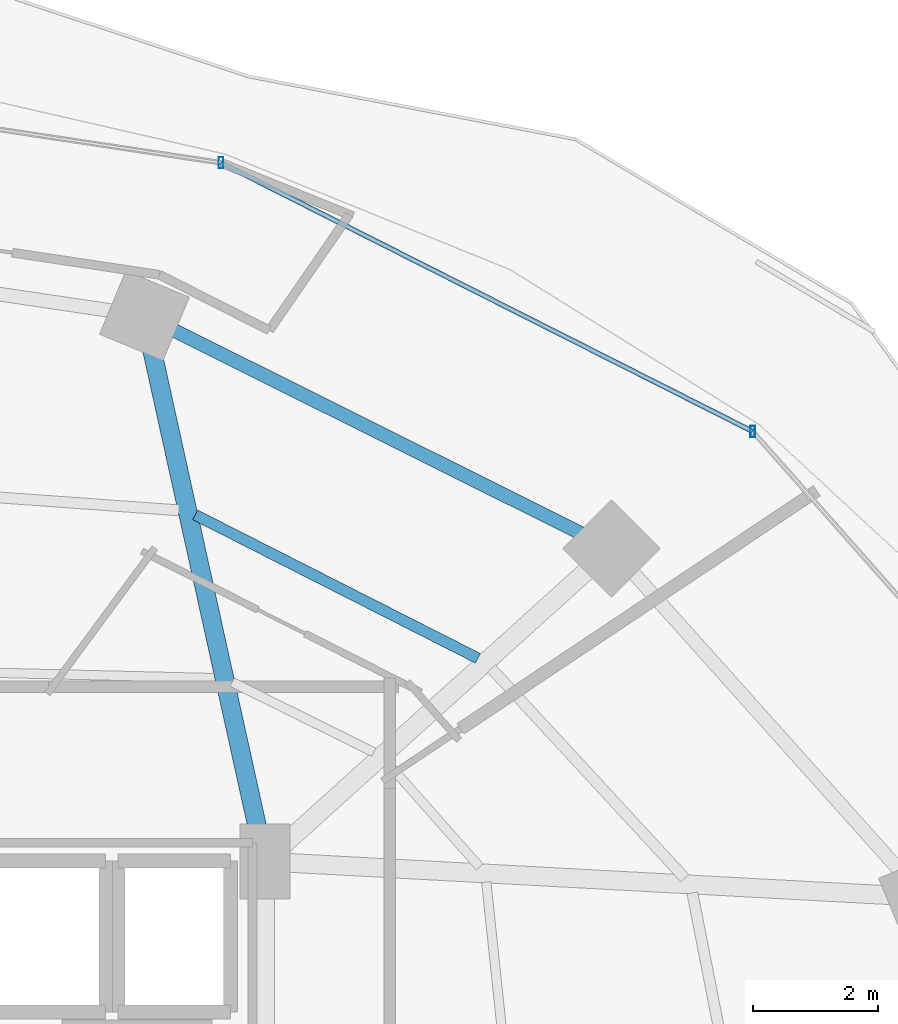
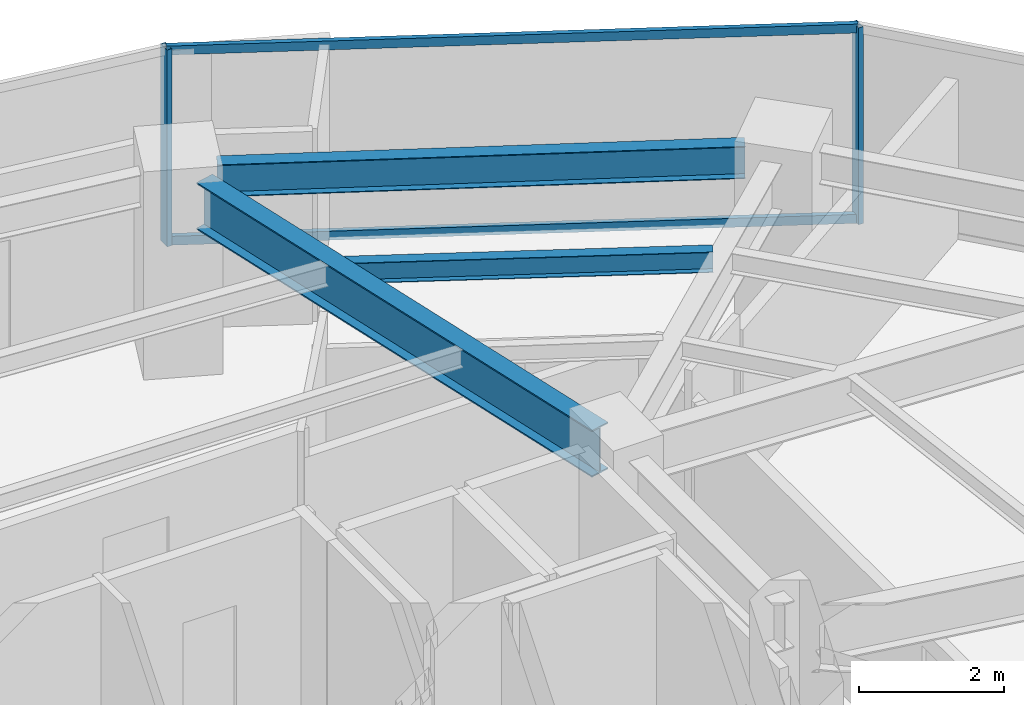
# One storey, part 20 of 29: 4 members, 3 beams, 1 element without a shape of its own.
"""IFC4 building model written with IfcOpenShell, lengths in metres."""

import ifcopenshell
import ifcopenshell.guid

model = None  # the IFC model being written
_history = None  # IfcOwnerHistory: only IFC2X3 demands one
_inside = {}  # id of a spatial element -> (the spatial element, [elements in it])
_under = {}  # id of a project, library or spatial element -> (it, [spatial elements below it])
_declared = {}  # id of a project -> (the project, [libraries it declares])
_typed = {}  # id of a type object -> (the type object, [elements of that type])
_made_of = {}  # id of a material, layer set ... -> (it, [elements and type objects made of it])


def new_model(schema):
    """Start an empty IFC model of exactly this schema.

    Asked for "IFC4X3", IfcOpenShell would pick the latest addendum, in which some entities
    have other attributes; the version numbers below select the first issue.
    IFC2X3 requires an IfcOwnerHistory on every rooted entity: one is made here for all.
    """
    global model, _history
    if schema == "IFC4X3":
        model = ifcopenshell.file(schema_version=(4, 3, 0, 0))
    else:
        model = ifcopenshell.file(schema=schema)
    _inside.clear()
    _under.clear()
    _declared.clear()
    _typed.clear()
    _made_of.clear()
    _history = None
    if model.schema == "IFC2X3":
        org = make("IfcOrganization", Name="unknown")
        user = make(
            "IfcPersonAndOrganization",
            ThePerson=make("IfcPerson", FamilyName="unknown"),
            TheOrganization=org,
        )
        app = make(
            "IfcApplication",
            ApplicationDeveloper=org,
            Version="unknown",
            ApplicationFullName="unknown",
            ApplicationIdentifier="unknown",
        )
        _history = make(
            "IfcOwnerHistory",
            OwningUser=user,
            OwningApplication=app,
            ChangeAction="ADDED",
            CreationDate=0,
        )
    return model


def make(cls, **values):
    """One entity of the class cls with the attributes given. An attribute that is None is left unset."""
    return model.create_entity(
        cls, **{name: value for name, value in values.items() if value is not None}
    )


def rooted(cls, **values):
    """An entity with a GlobalId (a new one), such as an element, a storey or a relation."""
    return make(cls, GlobalId=ifcopenshell.guid.new(), OwnerHistory=_history, **values)


def si_unit(unit_type, name, prefix=None):
    """IfcSIUnit, for example si_unit("LENGTHUNIT", "METRE", prefix="MILLI")."""
    return make("IfcSIUnit", UnitType=unit_type, Prefix=prefix, Name=name)


def assignment(units):
    """IfcUnitAssignment: the units of a project."""
    return None if units is None else make("IfcUnitAssignment", Units=units)


def point(xyz):
    """IfcCartesianPoint."""
    return None if xyz is None else make("IfcCartesianPoint", Coordinates=xyz)


def direction(xyz):
    """IfcDirection."""
    return None if xyz is None else make("IfcDirection", DirectionRatios=xyz)


def frame(location, z_axis=None, x_axis=None):
    """IfcAxis2Placement3D, a coordinate frame: its origin and axes. An axis left out is left unset."""
    return make(
        "IfcAxis2Placement3D",
        Location=point(location),
        Axis=direction(z_axis),
        RefDirection=direction(x_axis),
    )


def frame_2d(location, x_axis=None):
    """IfcAxis2Placement2D, a coordinate frame in the plane: its origin and x axis."""
    return make(
        "IfcAxis2Placement2D", Location=point(location), RefDirection=direction(x_axis)
    )


def origin():
    """The frame at (0, 0, 0) with its axes left unset."""
    return frame((0.0, 0.0, 0.0))


def origin_2d():
    """The frame at (0, 0) in the plane with its x axis left unset."""
    return frame_2d((0.0, 0.0))


def place(relative_to, where):
    """IfcLocalPlacement: puts the frame where relative to a parent placement (None: the world)."""
    return make(
        "IfcLocalPlacement", PlacementRelTo=relative_to, RelativePlacement=where
    )


def context(
    kind, dimensions, precision=None, world=None, true_north=None, identifier=None
):
    """IfcGeometricRepresentationContext, for example the 3D "Model" context."""
    return make(
        "IfcGeometricRepresentationContext",
        ContextIdentifier=identifier,
        ContextType=kind,
        CoordinateSpaceDimension=dimensions,
        Precision=precision,
        WorldCoordinateSystem=world,
        TrueNorth=true_north,
    )


def subcontext(parent, identifier, kind, view, scale=None):
    """IfcGeometricRepresentationSubContext, for example "Body" below "Model"."""
    return make(
        "IfcGeometricRepresentationSubContext",
        ContextIdentifier=identifier,
        ContextType=kind,
        ParentContext=parent,
        TargetScale=scale,
        TargetView=view,
    )


def project(units=None, contexts=None):
    """IfcProject with its units and contexts."""
    return rooted(
        "IfcProject",
        Name="project",
        RepresentationContexts=contexts,
        UnitsInContext=assignment(units),
    )


def spatial(cls, under=None, at=None, **own):
    """A site, building, storey or space (cls), placed at a placement, below another one or the project."""
    s = rooted(cls, ObjectPlacement=at, **own)
    if under is not None:
        _under.setdefault(under.id(), (under, []))[1].append(s)
    return s


def profile(cls, at=None, kind="AREA", **sizes):
    """A parametric profile (cls). Its sizes go by their IFC names, for example OverallWidth=200.0."""
    return make(cls, ProfileType=kind, Position=at, **sizes)


def hollow_rectangle(**sizes):
    """IfcRectangleHollowProfileDef."""
    return profile("IfcRectangleHollowProfileDef", **sizes)


def i_section(**sizes):
    """IfcIShapeProfileDef."""
    return profile("IfcIShapeProfileDef", **sizes)


def extrude(swept, where, along, depth):
    """IfcExtrudedAreaSolid: the profile swept, set in the frame where, extruded along a direction by depth."""
    return make(
        "IfcExtrudedAreaSolid",
        SweptArea=swept,
        Position=where,
        ExtrudedDirection=direction(along),
        Depth=depth,
    )


def shape(context_of_items, identifier, shape_type, items):
    """IfcShapeRepresentation: the items that make up one representation, for example the "Body"."""
    return make(
        "IfcShapeRepresentation",
        ContextOfItems=context_of_items,
        RepresentationIdentifier=identifier,
        RepresentationType=shape_type,
        Items=items,
    )


def material(Name=None, Category=None):
    """IfcMaterial."""
    return make("IfcMaterial", Name=Name, Category=Category)


def material_profile(
    of_material, cross_section, Name=None, Category=None, Priority=None
):
    """IfcMaterialProfile: a cross section and its material."""
    return make(
        "IfcMaterialProfile",
        Name=Name,
        Material=of_material,
        Profile=cross_section,
        Priority=Priority,
        Category=Category,
    )


def profile_set(profiles, Name=None, composite=None):
    """IfcMaterialProfileSet."""
    return make(
        "IfcMaterialProfileSet",
        Name=Name,
        MaterialProfiles=profiles,
        CompositeProfile=composite,
    )


def made_of(thing, what):
    """Note that an element or type object is made of a material, layer set ...; save() writes the relation."""
    if what is not None:
        _made_of.setdefault(what.id(), (what, []))[1].append(thing)
    return thing


def type_object(cls, material=None, **own):
    """A type object (cls), such as IfcWallType, which elements share."""
    return made_of(rooted(cls, **own), material)


def element(
    cls,
    number,
    at=None,
    inside=None,
    cuts=None,
    type_object=None,
    material=None,
    context=None,
    identifier="Body",
    shape_type=None,
    held_by="IfcProductDefinitionShape",
    body=None,
    shapes=None,
    **own,
):
    """One element of the class cls, such as IfcWall. Its Tag is "e" and its number.

    at: its placement. inside: the storey or other place that contains it. cuts: it is an
    opening in that element (IfcRelVoidsElement). A single representation is given by context,
    identifier, shape_type and body (its items); several are given by shapes. held_by: the class
    of the entity that holds the representations. save() writes the other relations.
    """
    e = rooted(cls, Tag="e%d" % number, ObjectPlacement=at, **own)
    if body is not None:
        shapes = [shape(context, identifier, shape_type, body)]
    if shapes is not None:
        e.Representation = make(held_by, Representations=shapes)
    if inside is not None:
        _inside.setdefault(inside.id(), (inside, []))[1].append(e)
    if cuts is not None:
        rooted(
            "IfcRelVoidsElement", RelatingBuildingElement=cuts, RelatedOpeningElement=e
        )
    if type_object is not None:
        _typed.setdefault(type_object.id(), (type_object, []))[1].append(e)
    return made_of(e, material)


def aggregate(whole, parts):
    """IfcRelAggregates: a whole, such as a stair, and the parts it consists of."""
    return rooted("IfcRelAggregates", RelatingObject=whole, RelatedObjects=parts)


def save(model, path):
    """Write the relations noted so far, then the file.

    IfcRelAggregates (storeys below a building ...), IfcRelContainedInSpatialStructure (elements
    in a storey), IfcRelDefinesByType, IfcRelAssociatesMaterial and IfcRelDeclares: one each for
    every whole, place, type object, material and project.
    """
    for whole, parts in _under.values():
        aggregate(whole, parts)
    for where, things in _inside.values():
        rooted(
            "IfcRelContainedInSpatialStructure",
            RelatedElements=things,
            RelatingStructure=where,
        )
    for kind, things in _typed.values():
        rooted("IfcRelDefinesByType", RelatedObjects=things, RelatingType=kind)
    for what, things in _made_of.values():
        rooted("IfcRelAssociatesMaterial", RelatedObjects=things, RelatingMaterial=what)
    for by, libraries in _declared.values():
        rooted("IfcRelDeclares", RelatingContext=by, RelatedDefinitions=libraries)
    model.write(path)


model = new_model("IFC4")

# Units and contexts
model_context = context("Model", 3, precision=1e-05, world=origin(), true_north=direction((0.0, 1.0)))
body_context = subcontext(model_context, "Body", "Model", "MODEL_VIEW")
ifc_project = project(units=[si_unit("LENGTHUNIT", "METRE"), si_unit("AREAUNIT", "SQUARE_METRE"), si_unit("VOLUMEUNIT", "CUBIC_METRE"), si_unit("PLANEANGLEUNIT", "RADIAN"), si_unit("MASSUNIT", "GRAM", prefix="KILO")], contexts=[model_context])

# Site, building, storey
site_placement = place(None, origin())
site = spatial("IfcSite", under=ifc_project, at=site_placement, CompositionType="ELEMENT")
building_placement = place(site_placement, origin())
building = spatial("IfcBuilding", under=site, at=building_placement, Name="Vorneva Point Tower", CompositionType="ELEMENT")
storey_placement = place(building_placement, frame((0.0, 0.0, 85.800048828125)))
storey = spatial("IfcBuildingStorey", under=building, at=storey_placement, Name="L22", CompositionType="ELEMENT", Elevation=85.800048828125)

# Beams
ifc_material_1 = material(Name="Steel S355", Category="steel")
ifc_material_profile_1 = material_profile(ifc_material_1, i_section(OverallWidth=0.300048828125, OverallDepth=0.7880859375, WebThickness=0.014404296875, FlangeThickness=0.02197265625, at=origin_2d()), Name="80Sh1")
ifc_profile_set_1 = profile_set([ifc_material_profile_1], Name="Steel S355")
beam_type_1 = type_object("IfcBeamType", Name="BM-GRD-80Sh1", PredefinedType="USERDEFINED", material=ifc_profile_set_1)
beam_1_placement = place(storey_placement, frame((46.936767578125, 41.365234375, 2.845947265625), z_axis=(0.215530944428, -0.976497010745, 0.0), x_axis=(0.976497010745, 0.215530944428, 0.0)))
element("IfcBeam", 1, at=beam_1_placement, inside=storey, type_object=beam_type_1, Name="L22 Radial Primary Girder 04", ObjectType="GIRDER", PredefinedType="USERDEFINED", context=body_context, shape_type="SweptSolid", body=[
    extrude(i_section(OverallWidth=0.300048828125, OverallDepth=0.7880859375, WebThickness=0.014404296875, FlangeThickness=0.02197265625, at=origin_2d()), origin(), (0.0, 0.0, 1.0), 8.072998046875),
])
ifc_material_profile_2 = material_profile(ifc_material_1, i_section(OverallWidth=0.174072265625, OverallDepth=0.345947265625, WebThickness=0.006103515625, FlangeThickness=0.009033203125, at=origin_2d()), Name="35B1")
ifc_profile_set_2 = profile_set([ifc_material_profile_2], Name="Steel S355")
beam_type_2 = type_object("IfcBeamType", Name="BM-SEC-35B1", PredefinedType="BEAM", material=ifc_profile_set_2)
beam_2_placement = place(storey_placement, frame((52.160400390625, 36.404296875, 3.06689453125), z_axis=(-0.891736950486, 0.452554097471, 0.0), x_axis=(-0.452554097471, -0.891736950486, 0.0)))
element("IfcBeam", 2, at=beam_2_placement, inside=storey, type_object=beam_type_2, Name="L22 Secondary Floor Beam 1.03", PredefinedType="BEAM", context=body_context, shape_type="SweptSolid", body=[
    extrude(i_section(OverallWidth=0.174072265625, OverallDepth=0.345947265625, WebThickness=0.006103515625, FlangeThickness=0.009033203125, at=origin_2d()), origin(), (0.0, 0.0, 1.0), 5.075927734375),
])
ifc_material_profile_3 = material_profile(ifc_material_1, i_section(OverallWidth=0.219970703125, OverallDepth=0.54296875, WebThickness=0.009521484375, FlangeThickness=0.013427734375, at=origin_2d()), Name="55B1")
ifc_profile_set_3 = profile_set([ifc_material_profile_3], Name="Steel S355")
beam_type_3 = type_object("IfcBeamType", Name="BM-SPN-55B1", PredefinedType="SPANDREL", material=ifc_profile_set_3)
beam_3_placement = place(storey_placement, frame((53.820068359375, 38.40087890625, 2.968505859375), z_axis=(-0.894915882304, 0.446234874926, 0.0), x_axis=(-0.446234874926, -0.894915882304, 0.0)))
element("IfcBeam", 3, at=beam_3_placement, inside=storey, type_object=beam_type_3, Name="L22 Perimeter Spandrel Ring Beam 03", PredefinedType="SPANDREL", context=body_context, shape_type="SweptSolid", body=[
    extrude(i_section(OverallWidth=0.219970703125, OverallDepth=0.54296875, WebThickness=0.009521484375, FlangeThickness=0.013427734375, at=origin_2d()), origin(), (0.0, 0.0, 1.0), 7.285888671875),
])

# Curtain wall, members
ifc_material_2 = material(Name="Pale anodised aluminium", Category="aluminium")
curtain_wall_type = type_object("IfcCurtainWallType", Name="CW-HTL-SYS", PredefinedType="NOTDEFINED", material=ifc_material_2)
curtain_wall_placement = place(storey_placement, origin())
curtain_wall = element("IfcCurtainWall", 4, at=curtain_wall_placement, inside=storey, type_object=curtain_wall_type, Name="L22 Unitised Curtain Wall CW-L22-R01", PredefinedType="NOTDEFINED")
ifc_material_profile_4 = material_profile(ifc_material_2, hollow_rectangle(XDim=0.074951171875, YDim=0.179931640625, WallThickness=0.00390625, at=origin_2d()), Name="AL-MUL 180x75x4")
ifc_profile_set_4 = profile_set([ifc_material_profile_4], Name="Pale anodised aluminium")
member_type_1 = type_object("IfcMemberType", Name="CW-MUL-180", PredefinedType="MULLION", material=ifc_profile_set_4)
member_1_placement = place(storey_placement, frame((56.5615234375, 40.0361328125, -0.0400390625), z_axis=(0.0, 0.0, 1.0), x_axis=(1.0, 0.0, 0.0)))
member_1 = element("IfcMember", 5, at=member_1_placement, type_object=member_type_1, Name="CW-L22-R01 Mullion 02", PredefinedType="MULLION", context=body_context, shape_type="SweptSolid", body=[
    extrude(hollow_rectangle(XDim=0.074951171875, YDim=0.179931640625, WallThickness=0.00390625, at=origin_2d()), origin(), (0.0, 0.0, 1.0), 3.31005859375),
])
member_2_placement = place(storey_placement, frame((48.04541015625, 44.339111328125, -0.0400390625), z_axis=(0.0, 0.0, 1.0), x_axis=(1.0, 0.0, 0.0)))
member_2 = element("IfcMember", 6, at=member_2_placement, type_object=member_type_1, Name="CW-L22-R01 Mullion 03", PredefinedType="MULLION", context=body_context, shape_type="SweptSolid", body=[
    extrude(hollow_rectangle(XDim=0.074951171875, YDim=0.179931640625, WallThickness=0.00390625, at=origin_2d()), origin(), (0.0, 0.0, 1.0), 3.31005859375),
])
ifc_material_profile_5 = material_profile(ifc_material_2, hollow_rectangle(XDim=0.074951171875, YDim=0.14990234375, WallThickness=0.00390625, at=origin_2d()), Name="AL-TRN 150x75x4")
ifc_profile_set_5 = profile_set([ifc_material_profile_5], Name="Pale anodised aluminium")
member_type_2 = type_object("IfcMemberType", Name="CW-TRN-150", PredefinedType="USERDEFINED", material=ifc_profile_set_5)
member_3_placement = place(storey_placement, frame((56.5615234375, 40.0361328125, 0.02001953125), z_axis=(-0.892536035732, 0.450976080207, 0.0), x_axis=(-0.450976080207, -0.892536035732, 0.0)))
member_3 = element("IfcMember", 7, at=member_3_placement, type_object=member_type_2, Name="CW-L22-R01 Transom 02.1", ObjectType="TRANSOM", PredefinedType="USERDEFINED", context=body_context, shape_type="SweptSolid", body=[
    extrude(hollow_rectangle(XDim=0.074951171875, YDim=0.14990234375, WallThickness=0.00390625, at=origin_2d()), origin(), (0.0, 0.0, 1.0), 9.54150390625),
])
member_4_placement = place(storey_placement, frame((56.5615234375, 40.0361328125, 3.219970703125), z_axis=(-0.892536035732, 0.450976080207, 0.0), x_axis=(-0.450976080207, -0.892536035732, 0.0)))
member_4 = element("IfcMember", 8, at=member_4_placement, type_object=member_type_2, Name="CW-L22-R01 Transom 02.2", ObjectType="TRANSOM", PredefinedType="USERDEFINED", context=body_context, shape_type="SweptSolid", body=[
    extrude(hollow_rectangle(XDim=0.074951171875, YDim=0.14990234375, WallThickness=0.00390625, at=origin_2d()), origin(), (0.0, 0.0, 1.0), 9.54150390625),
])
aggregate(curtain_wall, [member_1, member_2, member_3, member_4])

save(model, "model.ifc")
